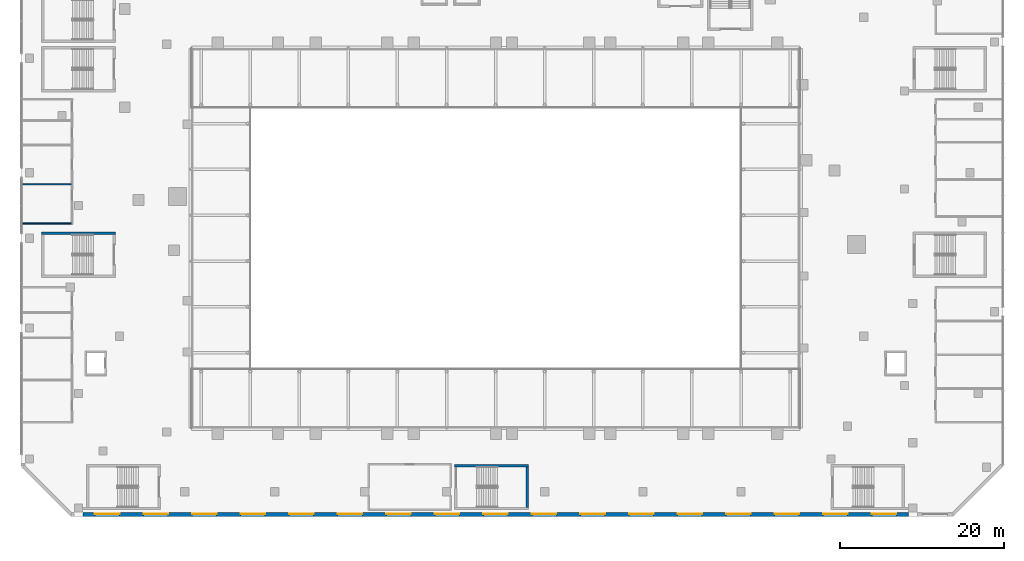
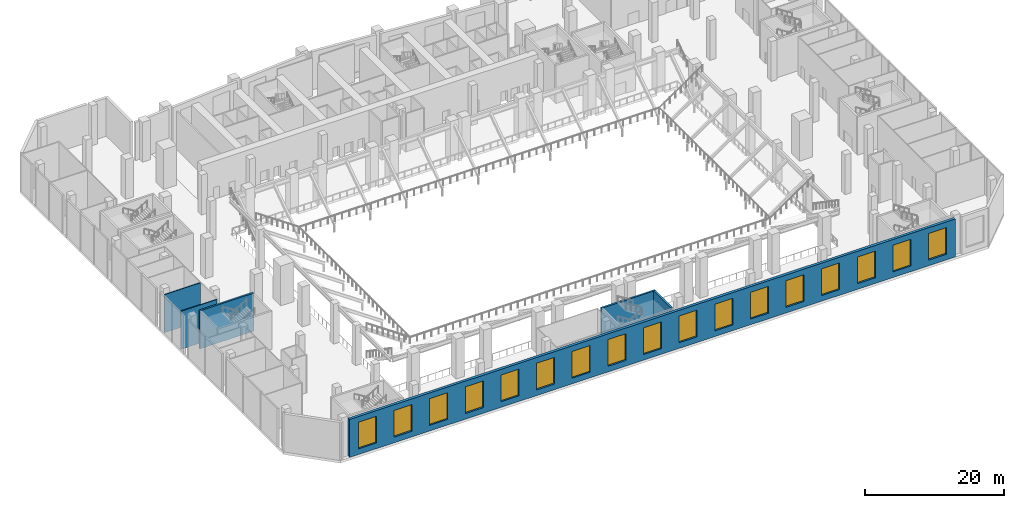
# One storey, part 21 of 41: 17 windows, 6 walls, 17 openings.
"""IFC4 building model written with IfcOpenShell, lengths in metres."""

from ifc_helpers import new_model, si_unit, direction, frame, frame_2d, origin, place, context, subcontext, project, spatial, rectangle, extrude, material, layer, layer_set, type_object, element, fill, save


model = new_model("IFC4")

# Units and contexts
model_context = context("Model", 3, precision=1e-05, world=origin(), true_north=direction((0.0, 1.0)))
body_context = subcontext(model_context, "Body", "Model", "MODEL_VIEW")
ifc_project = project(units=[si_unit("LENGTHUNIT", "METRE"), si_unit("AREAUNIT", "SQUARE_METRE"), si_unit("VOLUMEUNIT", "CUBIC_METRE"), si_unit("PLANEANGLEUNIT", "RADIAN"), si_unit("MASSUNIT", "GRAM", prefix="KILO")], contexts=[model_context])

# Site, building, storey
site_placement = place(None, origin())
site = spatial("IfcSite", under=ifc_project, at=site_placement, CompositionType="ELEMENT")
building_placement = place(site_placement, origin())
building = spatial("IfcBuilding", under=site, at=building_placement, Name="Wharfspan Tower", CompositionType="ELEMENT")
storey_placement = place(building_placement, frame((0.0, 0.0, 8.0)))
storey = spatial("IfcBuildingStorey", under=building, at=storey_placement, Name="L01", CompositionType="ELEMENT", Elevation=8.0)

# Walls
ifc_material_1 = material(Name="Calcium silicate masonry", Category="masonry")
ifc_layer_1 = layer(ifc_material_1, 0.149902)
ifc_layer_set_1 = layer_set([ifc_layer_1], Name="Calcium silicate masonry")
wall_type_1 = type_object("IfcWallType", Name="Podium room wall 150", PredefinedType="PARTITIONING", material=ifc_layer_set_1)
for number, where, z_axis, x_axis, name in (
    (1, (-11.89502, 3.800049, 0.0), (0.0, 0.0, 1.0), (1.0, 0.0, 0.0), "iw:L01:11"),
    (2, (-11.89502, 8.600098, 0.0), (0.0, 0.0, 1.0), (1.0, 0.0, 0.0), "iw:L01:12"),
):
    element("IfcWall", number, at=place(storey_placement, frame(where, z_axis=z_axis, x_axis=x_axis)), inside=storey, type_object=wall_type_1, Name=name, PredefinedType="PARTITIONING", context=body_context, shape_type="SweptSolid", body=[
        extrude(rectangle(XDim=6.02002, YDim=0.149902, at=frame_2d((3.01001, 0.0))), origin(), (0.0, 0.0, 1.0), 6.699951),
    ])
ifc_material_2 = material(Name="Concrete C40/50", Category="concrete")
ifc_layer_2 = layer(ifc_material_2, 0.300049)
ifc_layer_set_2 = layer_set([ifc_layer_2], Name="Concrete C40/50")
wall_type_2 = type_object("IfcWallType", Name="Podium stair core wall 300", PredefinedType="SHEAR", material=ifc_layer_set_2)
wall_1_placement = place(storey_placement, frame((41.0, -25.800049, 0.0), z_axis=(0.0, 0.0, 1.0), x_axis=(1.0, 0.0, 0.0)))
element("IfcWall", 3, at=wall_1_placement, inside=storey, type_object=wall_type_2, Name="iw:L01:AS5N", PredefinedType="SHEAR", context=body_context, shape_type="SweptSolid", body=[
    extrude(rectangle(XDim=9.0, YDim=0.300049, at=frame_2d((4.5, 0.0))), origin(), (0.0, 0.0, 1.0), 6.699951),
])
wall_2_placement = place(storey_placement, frame((49.850098, -30.899902, 0.0), z_axis=(0.0, 0.0, 1.0), x_axis=(0.0, 1.0, 0.0)))
element("IfcWall", 4, at=wall_2_placement, inside=storey, type_object=wall_type_2, Name="iw:L01:AS5E", PredefinedType="SHEAR", context=body_context, shape_type="SweptSolid", body=[
    extrude(rectangle(XDim=4.949951, YDim=0.300049, at=frame_2d((2.475098, 0.0))), origin(), (0.0, 0.0, 1.0), 6.699951),
])
wall_3_placement = place(storey_placement, frame((-9.5, 2.600098, 0.0), z_axis=(0.0, 0.0, 1.0), x_axis=(1.0, 0.0, 0.0)))
element("IfcWall", 5, at=wall_3_placement, inside=storey, type_object=wall_type_2, Name="iw:L01:AS7N", PredefinedType="SHEAR", context=body_context, shape_type="SweptSolid", body=[
    extrude(rectangle(XDim=9.0, YDim=0.300049, at=frame_2d((4.5, 0.0))), origin(), (0.0, 0.0, 1.0), 6.699951),
])

# Wall, openings, windows
ifc_layer_3 = layer(ifc_material_2, 0.449951)
ifc_layer_set_3 = layer_set([ifc_layer_3], Name="Concrete C40/50")
wall_type_3 = type_object("IfcWallType", Name="WALL BOARD-MARKED CONCRETE 450", PredefinedType="SOLIDWALL", material=ifc_layer_set_3)
wall_4_placement = place(storey_placement, frame((-4.449951, -31.774902, 0.0), z_axis=(0.0, 0.0, 1.0), x_axis=(1.0, 0.0, 0.0)))
wall_4 = element("IfcWall", 6, at=wall_4_placement, inside=storey, type_object=wall_type_3, Name="Podium wall PF1", PredefinedType="SOLIDWALL", context=body_context, shape_type="SweptSolid", body=[
    extrude(rectangle(XDim=100.899902, YDim=0.449951, at=frame_2d((50.449951, 0.0))), origin(), (0.0, 0.0, 1.0), 6.699951),
])
opening_1_placement = place(wall_4_placement, frame((1.467529, 0.0, 1.0)))
opening_1 = element("IfcOpeningElement", 7, at=opening_1_placement, cuts=wall_4, Name="Opening EWN1", PredefinedType="OPENING", context=body_context, shape_type="SweptSolid", body=[
    extrude(rectangle(XDim=3.0, YDim=4.699951, at=frame_2d((1.5, 2.350098))), frame((0.0, 0.234863, 0.0), z_axis=(0.0, -1.0, 0.0), x_axis=(1.0, 0.0, 0.0)), (0.0, 0.0, 1.0), 0.469971),
])
opening_2_placement = place(wall_4_placement, frame((7.402832, 0.0, 1.0)))
opening_2 = element("IfcOpeningElement", 8, at=opening_2_placement, cuts=wall_4, Name="Opening EWN1", PredefinedType="OPENING", context=body_context, shape_type="SweptSolid", body=[
    extrude(rectangle(XDim=3.0, YDim=4.699951, at=frame_2d((1.5, 2.350098))), frame((0.0, 0.234863, 0.0), z_axis=(0.0, -1.0, 0.0), x_axis=(1.0, 0.0, 0.0)), (0.0, 0.0, 1.0), 0.469971),
])
opening_3_placement = place(wall_4_placement, frame((13.338135, 0.0, 1.0)))
opening_3 = element("IfcOpeningElement", 9, at=opening_3_placement, cuts=wall_4, Name="Opening EWN1", PredefinedType="OPENING", context=body_context, shape_type="SweptSolid", body=[
    extrude(rectangle(XDim=3.0, YDim=4.699951, at=frame_2d((1.5, 2.350098))), frame((0.0, 0.234863, 0.0), z_axis=(0.0, -1.0, 0.0), x_axis=(1.0, 0.0, 0.0)), (0.0, 0.0, 1.0), 0.469971),
])
opening_4_placement = place(wall_4_placement, frame((19.273438, 0.0, 1.0)))
opening_4 = element("IfcOpeningElement", 10, at=opening_4_placement, cuts=wall_4, Name="Opening EWN1", PredefinedType="OPENING", context=body_context, shape_type="SweptSolid", body=[
    extrude(rectangle(XDim=3.0, YDim=4.699951, at=frame_2d((1.5, 2.350098))), frame((0.0, 0.234863, 0.0), z_axis=(0.0, -1.0, 0.0), x_axis=(1.0, 0.0, 0.0)), (0.0, 0.0, 1.0), 0.469971),
])
opening_5_placement = place(wall_4_placement, frame((25.20874, 0.0, 1.0)))
opening_5 = element("IfcOpeningElement", 11, at=opening_5_placement, cuts=wall_4, Name="Opening EWN1", PredefinedType="OPENING", context=body_context, shape_type="SweptSolid", body=[
    extrude(rectangle(XDim=3.0, YDim=4.699951, at=frame_2d((1.5, 2.350098))), frame((0.0, 0.234863, 0.0), z_axis=(0.0, -1.0, 0.0), x_axis=(1.0, 0.0, 0.0)), (0.0, 0.0, 1.0), 0.469971),
])
opening_6_placement = place(wall_4_placement, frame((31.144043, 0.0, 1.0)))
opening_6 = element("IfcOpeningElement", 12, at=opening_6_placement, cuts=wall_4, Name="Opening EWN1", PredefinedType="OPENING", context=body_context, shape_type="SweptSolid", body=[
    extrude(rectangle(XDim=3.0, YDim=4.699951, at=frame_2d((1.5, 2.350098))), frame((0.0, 0.234863, 0.0), z_axis=(0.0, -1.0, 0.0), x_axis=(1.0, 0.0, 0.0)), (0.0, 0.0, 1.0), 0.469971),
])
opening_7_placement = place(wall_4_placement, frame((37.079346, 0.0, 1.0)))
opening_7 = element("IfcOpeningElement", 13, at=opening_7_placement, cuts=wall_4, Name="Opening EWN1", PredefinedType="OPENING", context=body_context, shape_type="SweptSolid", body=[
    extrude(rectangle(XDim=3.0, YDim=4.699951, at=frame_2d((1.5, 2.350098))), frame((0.0, 0.234863, 0.0), z_axis=(0.0, -1.0, 0.0), x_axis=(1.0, 0.0, 0.0)), (0.0, 0.0, 1.0), 0.469971),
])
opening_8_placement = place(wall_4_placement, frame((43.014648, 0.0, 1.0)))
opening_8 = element("IfcOpeningElement", 14, at=opening_8_placement, cuts=wall_4, Name="Opening EWN1", PredefinedType="OPENING", context=body_context, shape_type="SweptSolid", body=[
    extrude(rectangle(XDim=3.0, YDim=4.699951, at=frame_2d((1.5, 2.350098))), frame((0.0, 0.234863, 0.0), z_axis=(0.0, -1.0, 0.0), x_axis=(1.0, 0.0, 0.0)), (0.0, 0.0, 1.0), 0.469971),
])
opening_9_placement = place(wall_4_placement, frame((48.949951, 0.0, 1.0)))
opening_9 = element("IfcOpeningElement", 15, at=opening_9_placement, cuts=wall_4, Name="Opening EWN1", PredefinedType="OPENING", context=body_context, shape_type="SweptSolid", body=[
    extrude(rectangle(XDim=3.0, YDim=4.699951, at=frame_2d((1.5, 2.350098))), frame((0.0, 0.234863, 0.0), z_axis=(0.0, -1.0, 0.0), x_axis=(1.0, 0.0, 0.0)), (0.0, 0.0, 1.0), 0.469971),
])
opening_10_placement = place(wall_4_placement, frame((54.885254, 0.0, 1.0)))
opening_10 = element("IfcOpeningElement", 16, at=opening_10_placement, cuts=wall_4, Name="Opening EWN1", PredefinedType="OPENING", context=body_context, shape_type="SweptSolid", body=[
    extrude(rectangle(XDim=3.0, YDim=4.699951, at=frame_2d((1.5, 2.350098))), frame((0.0, 0.234863, 0.0), z_axis=(0.0, -1.0, 0.0), x_axis=(1.0, 0.0, 0.0)), (0.0, 0.0, 1.0), 0.469971),
])
opening_11_placement = place(wall_4_placement, frame((60.820557, 0.0, 1.0)))
opening_11 = element("IfcOpeningElement", 17, at=opening_11_placement, cuts=wall_4, Name="Opening EWN1", PredefinedType="OPENING", context=body_context, shape_type="SweptSolid", body=[
    extrude(rectangle(XDim=3.0, YDim=4.699951, at=frame_2d((1.5, 2.350098))), frame((0.0, 0.234863, 0.0), z_axis=(0.0, -1.0, 0.0), x_axis=(1.0, 0.0, 0.0)), (0.0, 0.0, 1.0), 0.469971),
])
opening_12_placement = place(wall_4_placement, frame((66.755859, 0.0, 1.0)))
opening_12 = element("IfcOpeningElement", 18, at=opening_12_placement, cuts=wall_4, Name="Opening EWN1", PredefinedType="OPENING", context=body_context, shape_type="SweptSolid", body=[
    extrude(rectangle(XDim=3.0, YDim=4.699951, at=frame_2d((1.5, 2.350098))), frame((0.0, 0.234863, 0.0), z_axis=(0.0, -1.0, 0.0), x_axis=(1.0, 0.0, 0.0)), (0.0, 0.0, 1.0), 0.469971),
])
opening_13_placement = place(wall_4_placement, frame((72.691162, 0.0, 1.0)))
opening_13 = element("IfcOpeningElement", 19, at=opening_13_placement, cuts=wall_4, Name="Opening EWN1", PredefinedType="OPENING", context=body_context, shape_type="SweptSolid", body=[
    extrude(rectangle(XDim=3.0, YDim=4.699951, at=frame_2d((1.5, 2.350098))), frame((0.0, 0.234863, 0.0), z_axis=(0.0, -1.0, 0.0), x_axis=(1.0, 0.0, 0.0)), (0.0, 0.0, 1.0), 0.469971),
])
opening_14_placement = place(wall_4_placement, frame((78.626465, 0.0, 1.0)))
opening_14 = element("IfcOpeningElement", 20, at=opening_14_placement, cuts=wall_4, Name="Opening EWN1", PredefinedType="OPENING", context=body_context, shape_type="SweptSolid", body=[
    extrude(rectangle(XDim=3.0, YDim=4.699951, at=frame_2d((1.5, 2.350098))), frame((0.0, 0.234863, 0.0), z_axis=(0.0, -1.0, 0.0), x_axis=(1.0, 0.0, 0.0)), (0.0, 0.0, 1.0), 0.469971),
])
opening_15_placement = place(wall_4_placement, frame((84.561768, 0.0, 1.0)))
opening_15 = element("IfcOpeningElement", 21, at=opening_15_placement, cuts=wall_4, Name="Opening EWN1", PredefinedType="OPENING", context=body_context, shape_type="SweptSolid", body=[
    extrude(rectangle(XDim=3.0, YDim=4.699951, at=frame_2d((1.5, 2.350098))), frame((0.0, 0.234863, 0.0), z_axis=(0.0, -1.0, 0.0), x_axis=(1.0, 0.0, 0.0)), (0.0, 0.0, 1.0), 0.469971),
])
opening_16_placement = place(wall_4_placement, frame((90.49707, 0.0, 1.0)))
opening_16 = element("IfcOpeningElement", 22, at=opening_16_placement, cuts=wall_4, Name="Opening EWN1", PredefinedType="OPENING", context=body_context, shape_type="SweptSolid", body=[
    extrude(rectangle(XDim=3.0, YDim=4.699951, at=frame_2d((1.5, 2.350098))), frame((0.0, 0.234863, 0.0), z_axis=(0.0, -1.0, 0.0), x_axis=(1.0, 0.0, 0.0)), (0.0, 0.0, 1.0), 0.469971),
])
opening_17_placement = place(wall_4_placement, frame((96.432373, 0.0, 1.0)))
opening_17 = element("IfcOpeningElement", 23, at=opening_17_placement, cuts=wall_4, Name="Opening EWN1", PredefinedType="OPENING", context=body_context, shape_type="SweptSolid", body=[
    extrude(rectangle(XDim=3.0, YDim=4.699951, at=frame_2d((1.5, 2.350098))), frame((0.0, 0.234863, 0.0), z_axis=(0.0, -1.0, 0.0), x_axis=(1.0, 0.0, 0.0)), (0.0, 0.0, 1.0), 0.469971),
])
ifc_material_3 = material(Name="Aluminium 6063-T6", Category="aluminium")
window_type = type_object("IfcWindowType", Name="WINDOW 3000x4700", PartitioningType="SINGLE_PANEL", PredefinedType="WINDOW", material=ifc_material_3)
window_1_placement = place(opening_1_placement, origin())
window_1 = element("IfcWindow", 24, at=window_1_placement, inside=storey, type_object=window_type, Name="Podium window", OverallHeight=4.699951, OverallWidth=3.0, PartitioningType="SINGLE_PANEL", PredefinedType="WINDOW", context=body_context, shape_type="SweptSolid", body=[
    extrude(rectangle(XDim=3.0, YDim=4.699951, at=frame_2d((1.5, 2.350098))), frame((0.0, 0.10498, 0.0), z_axis=(0.0, -1.0, 0.0), x_axis=(1.0, 0.0, 0.0)), (0.0, 0.0, 1.0), 0.060059),
])
fill(opening_1, window_1)
window_2_placement = place(opening_2_placement, origin())
window_2 = element("IfcWindow", 25, at=window_2_placement, inside=storey, type_object=window_type, Name="Podium window", OverallHeight=4.699951, OverallWidth=3.0, PartitioningType="SINGLE_PANEL", PredefinedType="WINDOW", context=body_context, shape_type="SweptSolid", body=[
    extrude(rectangle(XDim=3.0, YDim=4.699951, at=frame_2d((1.5, 2.350098))), frame((0.0, 0.10498, 0.0), z_axis=(0.0, -1.0, 0.0), x_axis=(1.0, 0.0, 0.0)), (0.0, 0.0, 1.0), 0.060059),
])
fill(opening_2, window_2)
window_3_placement = place(opening_3_placement, origin())
window_3 = element("IfcWindow", 26, at=window_3_placement, inside=storey, type_object=window_type, Name="Podium window", OverallHeight=4.699951, OverallWidth=3.0, PartitioningType="SINGLE_PANEL", PredefinedType="WINDOW", context=body_context, shape_type="SweptSolid", body=[
    extrude(rectangle(XDim=3.0, YDim=4.699951, at=frame_2d((1.5, 2.350098))), frame((0.0, 0.10498, 0.0), z_axis=(0.0, -1.0, 0.0), x_axis=(1.0, 0.0, 0.0)), (0.0, 0.0, 1.0), 0.060059),
])
fill(opening_3, window_3)
window_4_placement = place(opening_4_placement, origin())
window_4 = element("IfcWindow", 27, at=window_4_placement, inside=storey, type_object=window_type, Name="Podium window", OverallHeight=4.699951, OverallWidth=3.0, PartitioningType="SINGLE_PANEL", PredefinedType="WINDOW", context=body_context, shape_type="SweptSolid", body=[
    extrude(rectangle(XDim=3.0, YDim=4.699951, at=frame_2d((1.5, 2.350098))), frame((0.0, 0.10498, 0.0), z_axis=(0.0, -1.0, 0.0), x_axis=(1.0, 0.0, 0.0)), (0.0, 0.0, 1.0), 0.060059),
])
fill(opening_4, window_4)
window_5_placement = place(opening_5_placement, origin())
window_5 = element("IfcWindow", 28, at=window_5_placement, inside=storey, type_object=window_type, Name="Podium window", OverallHeight=4.699951, OverallWidth=3.0, PartitioningType="SINGLE_PANEL", PredefinedType="WINDOW", context=body_context, shape_type="SweptSolid", body=[
    extrude(rectangle(XDim=3.0, YDim=4.699951, at=frame_2d((1.5, 2.350098))), frame((0.0, 0.10498, 0.0), z_axis=(0.0, -1.0, 0.0), x_axis=(1.0, 0.0, 0.0)), (0.0, 0.0, 1.0), 0.060059),
])
fill(opening_5, window_5)
window_6_placement = place(opening_6_placement, origin())
window_6 = element("IfcWindow", 29, at=window_6_placement, inside=storey, type_object=window_type, Name="Podium window", OverallHeight=4.699951, OverallWidth=3.0, PartitioningType="SINGLE_PANEL", PredefinedType="WINDOW", context=body_context, shape_type="SweptSolid", body=[
    extrude(rectangle(XDim=3.0, YDim=4.699951, at=frame_2d((1.5, 2.350098))), frame((0.0, 0.10498, 0.0), z_axis=(0.0, -1.0, 0.0), x_axis=(1.0, 0.0, 0.0)), (0.0, 0.0, 1.0), 0.060059),
])
fill(opening_6, window_6)
window_7_placement = place(opening_7_placement, origin())
window_7 = element("IfcWindow", 30, at=window_7_placement, inside=storey, type_object=window_type, Name="Podium window", OverallHeight=4.699951, OverallWidth=3.0, PartitioningType="SINGLE_PANEL", PredefinedType="WINDOW", context=body_context, shape_type="SweptSolid", body=[
    extrude(rectangle(XDim=3.0, YDim=4.699951, at=frame_2d((1.5, 2.350098))), frame((0.0, 0.10498, 0.0), z_axis=(0.0, -1.0, 0.0), x_axis=(1.0, 0.0, 0.0)), (0.0, 0.0, 1.0), 0.060059),
])
fill(opening_7, window_7)
window_8_placement = place(opening_8_placement, origin())
window_8 = element("IfcWindow", 31, at=window_8_placement, inside=storey, type_object=window_type, Name="Podium window", OverallHeight=4.699951, OverallWidth=3.0, PartitioningType="SINGLE_PANEL", PredefinedType="WINDOW", context=body_context, shape_type="SweptSolid", body=[
    extrude(rectangle(XDim=3.0, YDim=4.699951, at=frame_2d((1.5, 2.350098))), frame((0.0, 0.10498, 0.0), z_axis=(0.0, -1.0, 0.0), x_axis=(1.0, 0.0, 0.0)), (0.0, 0.0, 1.0), 0.060059),
])
fill(opening_8, window_8)
window_9_placement = place(opening_9_placement, origin())
window_9 = element("IfcWindow", 32, at=window_9_placement, inside=storey, type_object=window_type, Name="Podium window", OverallHeight=4.699951, OverallWidth=3.0, PartitioningType="SINGLE_PANEL", PredefinedType="WINDOW", context=body_context, shape_type="SweptSolid", body=[
    extrude(rectangle(XDim=3.0, YDim=4.699951, at=frame_2d((1.5, 2.350098))), frame((0.0, 0.10498, 0.0), z_axis=(0.0, -1.0, 0.0), x_axis=(1.0, 0.0, 0.0)), (0.0, 0.0, 1.0), 0.060059),
])
fill(opening_9, window_9)
window_10_placement = place(opening_10_placement, origin())
window_10 = element("IfcWindow", 33, at=window_10_placement, inside=storey, type_object=window_type, Name="Podium window", OverallHeight=4.699951, OverallWidth=3.0, PartitioningType="SINGLE_PANEL", PredefinedType="WINDOW", context=body_context, shape_type="SweptSolid", body=[
    extrude(rectangle(XDim=3.0, YDim=4.699951, at=frame_2d((1.5, 2.350098))), frame((0.0, 0.10498, 0.0), z_axis=(0.0, -1.0, 0.0), x_axis=(1.0, 0.0, 0.0)), (0.0, 0.0, 1.0), 0.060059),
])
fill(opening_10, window_10)
window_11_placement = place(opening_11_placement, origin())
window_11 = element("IfcWindow", 34, at=window_11_placement, inside=storey, type_object=window_type, Name="Podium window", OverallHeight=4.699951, OverallWidth=3.0, PartitioningType="SINGLE_PANEL", PredefinedType="WINDOW", context=body_context, shape_type="SweptSolid", body=[
    extrude(rectangle(XDim=3.0, YDim=4.699951, at=frame_2d((1.5, 2.350098))), frame((0.0, 0.10498, 0.0), z_axis=(0.0, -1.0, 0.0), x_axis=(1.0, 0.0, 0.0)), (0.0, 0.0, 1.0), 0.060059),
])
fill(opening_11, window_11)
window_12_placement = place(opening_12_placement, origin())
window_12 = element("IfcWindow", 35, at=window_12_placement, inside=storey, type_object=window_type, Name="Podium window", OverallHeight=4.699951, OverallWidth=3.0, PartitioningType="SINGLE_PANEL", PredefinedType="WINDOW", context=body_context, shape_type="SweptSolid", body=[
    extrude(rectangle(XDim=3.0, YDim=4.699951, at=frame_2d((1.5, 2.350098))), frame((0.0, 0.10498, 0.0), z_axis=(0.0, -1.0, 0.0), x_axis=(1.0, 0.0, 0.0)), (0.0, 0.0, 1.0), 0.060059),
])
fill(opening_12, window_12)
window_13_placement = place(opening_13_placement, origin())
window_13 = element("IfcWindow", 36, at=window_13_placement, inside=storey, type_object=window_type, Name="Podium window", OverallHeight=4.699951, OverallWidth=3.0, PartitioningType="SINGLE_PANEL", PredefinedType="WINDOW", context=body_context, shape_type="SweptSolid", body=[
    extrude(rectangle(XDim=3.0, YDim=4.699951, at=frame_2d((1.5, 2.350098))), frame((0.0, 0.10498, 0.0), z_axis=(0.0, -1.0, 0.0), x_axis=(1.0, 0.0, 0.0)), (0.0, 0.0, 1.0), 0.060059),
])
fill(opening_13, window_13)
window_14_placement = place(opening_14_placement, origin())
window_14 = element("IfcWindow", 37, at=window_14_placement, inside=storey, type_object=window_type, Name="Podium window", OverallHeight=4.699951, OverallWidth=3.0, PartitioningType="SINGLE_PANEL", PredefinedType="WINDOW", context=body_context, shape_type="SweptSolid", body=[
    extrude(rectangle(XDim=3.0, YDim=4.699951, at=frame_2d((1.5, 2.350098))), frame((0.0, 0.10498, 0.0), z_axis=(0.0, -1.0, 0.0), x_axis=(1.0, 0.0, 0.0)), (0.0, 0.0, 1.0), 0.060059),
])
fill(opening_14, window_14)
window_15_placement = place(opening_15_placement, origin())
window_15 = element("IfcWindow", 38, at=window_15_placement, inside=storey, type_object=window_type, Name="Podium window", OverallHeight=4.699951, OverallWidth=3.0, PartitioningType="SINGLE_PANEL", PredefinedType="WINDOW", context=body_context, shape_type="SweptSolid", body=[
    extrude(rectangle(XDim=3.0, YDim=4.699951, at=frame_2d((1.5, 2.350098))), frame((0.0, 0.10498, 0.0), z_axis=(0.0, -1.0, 0.0), x_axis=(1.0, 0.0, 0.0)), (0.0, 0.0, 1.0), 0.060059),
])
fill(opening_15, window_15)
window_16_placement = place(opening_16_placement, origin())
window_16 = element("IfcWindow", 39, at=window_16_placement, inside=storey, type_object=window_type, Name="Podium window", OverallHeight=4.699951, OverallWidth=3.0, PartitioningType="SINGLE_PANEL", PredefinedType="WINDOW", context=body_context, shape_type="SweptSolid", body=[
    extrude(rectangle(XDim=3.0, YDim=4.699951, at=frame_2d((1.5, 2.350098))), frame((0.0, 0.10498, 0.0), z_axis=(0.0, -1.0, 0.0), x_axis=(1.0, 0.0, 0.0)), (0.0, 0.0, 1.0), 0.060059),
])
fill(opening_16, window_16)
window_17_placement = place(opening_17_placement, origin())
window_17 = element("IfcWindow", 40, at=window_17_placement, inside=storey, type_object=window_type, Name="Podium window", OverallHeight=4.699951, OverallWidth=3.0, PartitioningType="SINGLE_PANEL", PredefinedType="WINDOW", context=body_context, shape_type="SweptSolid", body=[
    extrude(rectangle(XDim=3.0, YDim=4.699951, at=frame_2d((1.5, 2.350098))), frame((0.0, 0.10498, 0.0), z_axis=(0.0, -1.0, 0.0), x_axis=(1.0, 0.0, 0.0)), (0.0, 0.0, 1.0), 0.060059),
])
fill(opening_17, window_17)

save(model, "model.ifc")
